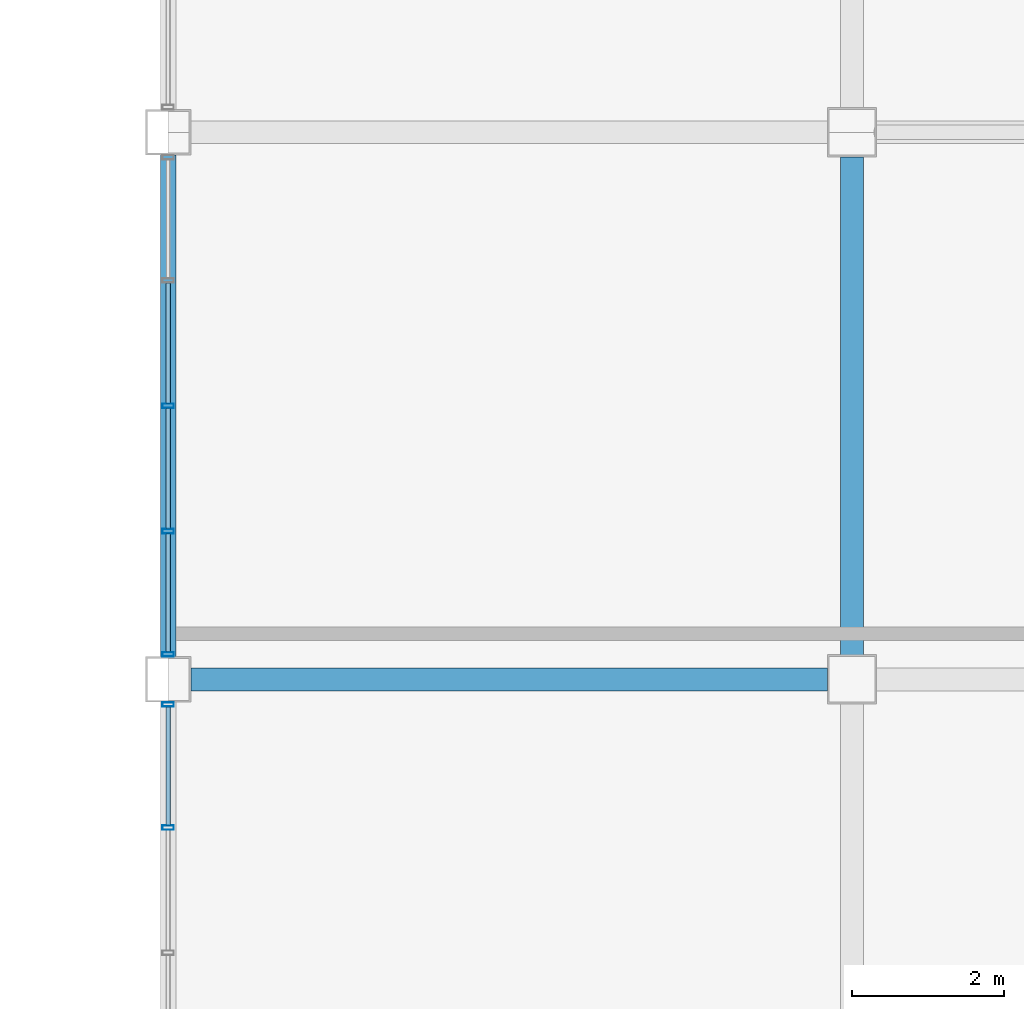
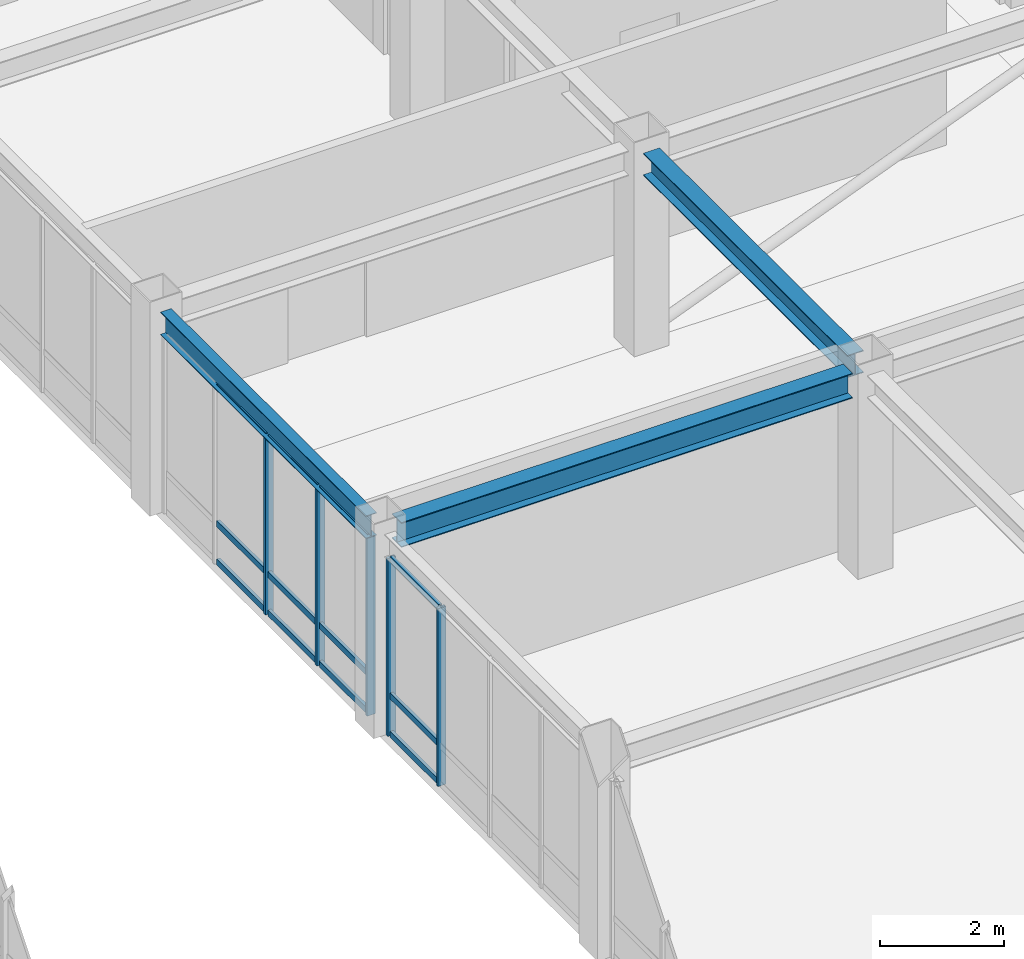
# One storey, part 47 of 106: 17 members, 3 beams, 2 elements without a shape of their own.
"""IFC4 building model written with IfcOpenShell, lengths in metres."""

from ifc_helpers import new_model, si_unit, direction, frame, origin, origin_2d, place, context, subcontext, project, spatial, hollow_rectangle, i_section, extrude, material, material_profile, profile_set, type_object, element, aggregate, save


model = new_model("IFC4")

# Units and contexts
model_context = context("Model", 3, precision=1e-05, world=origin(), true_north=direction((0.0, 1.0)))
body_context = subcontext(model_context, "Body", "Model", "MODEL_VIEW")
ifc_project = project(units=[si_unit("LENGTHUNIT", "METRE"), si_unit("AREAUNIT", "SQUARE_METRE"), si_unit("VOLUMEUNIT", "CUBIC_METRE"), si_unit("PLANEANGLEUNIT", "RADIAN"), si_unit("MASSUNIT", "GRAM", prefix="KILO")], contexts=[model_context])

# Site, building, storey
site_placement = place(None, origin())
site = spatial("IfcSite", under=ifc_project, at=site_placement, CompositionType="ELEMENT")
building_placement = place(site_placement, origin())
building = spatial("IfcBuilding", under=site, at=building_placement, Name="Kazanami Central Library", CompositionType="ELEMENT")
storey_placement = place(building_placement, frame((0.0, 0.0, 12.800048828125)))
storey = spatial("IfcBuildingStorey", under=building, at=storey_placement, Name="L04", CompositionType="ELEMENT", Elevation=12.800048828125)

# Beams
ifc_material_1 = material(Name="Steel SN490B (325 MPa)", Category="steel")
ifc_material_profile_1 = material_profile(ifc_material_1, i_section(OverallWidth=0.300048828125, OverallDepth=0.488037109375, WebThickness=0.010986328125, FlangeThickness=0.01806640625, at=origin_2d()), Name="H-488x300x11x18")
ifc_profile_set_1 = profile_set([ifc_material_profile_1], Name="Steel SN490B (325 MPa)")
beam_type_1 = type_object("IfcBeamType", Name="BM-G-X5", PredefinedType="BEAM", material=ifc_profile_set_1)
beam_1_placement = place(storey_placement, frame((117.298095703125, 64.800048828125, 3.696044921875), z_axis=(1.0, 0.0, 0.0), x_axis=(0.0, 1.0, 0.0)))
element("IfcBeam", 1, at=beam_1_placement, inside=storey, type_object=beam_type_1, Name="Girder G-X5 L04 K/14-15", PredefinedType="BEAM", context=body_context, shape_type="SweptSolid", body=[
    extrude(i_section(OverallWidth=0.300048828125, OverallDepth=0.488037109375, WebThickness=0.010986328125, FlangeThickness=0.01806640625, at=origin_2d()), origin(), (0.0, 0.0, 1.0), 8.37890625),
])
ifc_material_profile_2 = material_profile(ifc_material_1, i_section(OverallWidth=0.300048828125, OverallDepth=0.43994140625, WebThickness=0.010986328125, FlangeThickness=0.01806640625, at=origin_2d()), Name="H-440x300x11x18")
ifc_profile_set_2 = profile_set([ifc_material_profile_2], Name="Steel SN490B (325 MPa)")
beam_type_2 = type_object("IfcBeamType", Name="BM-G-Y4", PredefinedType="BEAM", material=ifc_profile_set_2)
beam_2_placement = place(storey_placement, frame((126.0, 65.123046875, 3.719970703125), z_axis=(0.0, 1.0, 0.0), x_axis=(-1.0, 0.0, 0.0)))
element("IfcBeam", 2, at=beam_2_placement, inside=storey, type_object=beam_type_2, Name="Girder G-Y4 L04 15/K-L", PredefinedType="BEAM", context=body_context, shape_type="SweptSolid", body=[
    extrude(i_section(OverallWidth=0.300048828125, OverallDepth=0.43994140625, WebThickness=0.010986328125, FlangeThickness=0.01806640625, at=origin_2d()), origin(), (0.0, 0.0, 1.0), 6.553955078125),
])
ifc_material_profile_3 = material_profile(ifc_material_1, i_section(OverallWidth=0.199951171875, OverallDepth=0.449951171875, WebThickness=0.009033203125, FlangeThickness=0.013916015625, at=origin_2d()), Name="H-450x200x9x14")
ifc_profile_set_3 = profile_set([ifc_material_profile_3], Name="Steel SN490B (325 MPa)")
beam_type_3 = type_object("IfcBeamType", Name="BM-SP-2", PredefinedType="SPANDREL", material=ifc_profile_set_3)
beam_3_placement = place(storey_placement, frame((117.0, 65.097900390625, 3.71484375), z_axis=(0.0, 1.0, 0.0), x_axis=(-1.0, 0.0, 0.0)))
element("IfcBeam", 3, at=beam_3_placement, inside=storey, type_object=beam_type_3, Name="Girder SP-2 L04 14/K-L", PredefinedType="SPANDREL", context=body_context, shape_type="SweptSolid", body=[
    extrude(i_section(OverallWidth=0.199951171875, OverallDepth=0.449951171875, WebThickness=0.009033203125, FlangeThickness=0.013916015625, at=origin_2d()), origin(), (0.0, 0.0, 1.0), 6.60400390625),
])

# Curtain wall, members
ifc_material_2 = material(Name="Acid-Etched Low-E Laminated Glass", Category="glass")
curtain_wall_type = type_object("IfcCurtainWallType", Name="CW-6600x3490-M180", PredefinedType="USERDEFINED", material=ifc_material_2)
curtain_wall_1_placement = place(storey_placement, origin())
curtain_wall_1 = element("IfcCurtainWall", 4, at=curtain_wall_1_placement, inside=storey, type_object=curtain_wall_type, Name="Covered Link Bridge Curtain Wall CW-48 L04 W-14-08", ObjectType="UNITISED CURTAIN WALL", PredefinedType="USERDEFINED")
ifc_material_3 = material(Name="Anodised Aluminium A6063-T5", Category="aluminium")
ifc_material_profile_4 = material_profile(ifc_material_3, hollow_rectangle(XDim=0.06005859375, YDim=0.14990234375, WallThickness=0.00390625, at=origin_2d()), Name="ALU-MULL-60x150x4")
ifc_profile_set_4 = profile_set([ifc_material_profile_4], Name="Anodised Aluminium A6063-T5")
member_type_1 = type_object("IfcMemberType", Name="MEM-CW-M3", PredefinedType="MULLION", material=ifc_profile_set_4)
member_1_placement = place(storey_placement, frame((117.0, 62.85009765625, 0.0), z_axis=(0.0, 0.0, 1.0), x_axis=(0.0, 1.0, 0.0)))
member_1 = element("IfcMember", 5, at=member_1_placement, type_object=member_type_1, Name="CW-48 mullion 4", PredefinedType="MULLION", context=body_context, shape_type="SweptSolid", body=[
    extrude(hollow_rectangle(XDim=0.06005859375, YDim=0.14990234375, WallThickness=0.00390625, at=origin_2d()), origin(), (0.0, 0.0, 1.0), 3.489990234375),
])
member_2_placement = place(storey_placement, frame((117.0, 64.469970703125, 0.0), z_axis=(0.0, 0.0, 1.0), x_axis=(0.0, 1.0, 0.0)))
member_2 = element("IfcMember", 6, at=member_2_placement, type_object=member_type_1, Name="CW-48 mullion 5", PredefinedType="MULLION", context=body_context, shape_type="SweptSolid", body=[
    extrude(hollow_rectangle(XDim=0.06005859375, YDim=0.14990234375, WallThickness=0.00390625, at=origin_2d()), origin(), (0.0, 0.0, 1.0), 3.489990234375),
])

curtain_wall_2_placement = place(storey_placement, origin())
curtain_wall_2 = element("IfcCurtainWall", 7, at=curtain_wall_2_placement, inside=storey, type_object=curtain_wall_type, Name="Covered Link Bridge Curtain Wall CW-48 L04 W-14-09", ObjectType="UNITISED CURTAIN WALL", PredefinedType="USERDEFINED")
member_3_placement = place(storey_placement, frame((117.0, 65.1298828125, 0.0), z_axis=(0.0, 0.0, 1.0), x_axis=(0.0, 1.0, 0.0)))
member_3 = element("IfcMember", 8, at=member_3_placement, type_object=member_type_1, Name="CW-48 mullion 1", PredefinedType="MULLION", context=body_context, shape_type="SweptSolid", body=[
    extrude(hollow_rectangle(XDim=0.06005859375, YDim=0.14990234375, WallThickness=0.00390625, at=origin_2d()), origin(), (0.0, 0.0, 1.0), 3.489990234375),
])
member_4_placement = place(storey_placement, frame((117.0, 66.75, 0.0), z_axis=(0.0, 0.0, 1.0), x_axis=(0.0, 1.0, 0.0)))
member_4 = element("IfcMember", 9, at=member_4_placement, type_object=member_type_1, Name="CW-48 mullion 2", PredefinedType="MULLION", context=body_context, shape_type="SweptSolid", body=[
    extrude(hollow_rectangle(XDim=0.06005859375, YDim=0.14990234375, WallThickness=0.00390625, at=origin_2d()), origin(), (0.0, 0.0, 1.0), 3.489990234375),
])
member_5_placement = place(storey_placement, frame((117.0, 68.39990234375, 0.0), z_axis=(0.0, 0.0, 1.0), x_axis=(0.0, 1.0, 0.0)))
member_5 = element("IfcMember", 10, at=member_5_placement, type_object=member_type_1, Name="CW-48 mullion 3", PredefinedType="MULLION", context=body_context, shape_type="SweptSolid", body=[
    extrude(hollow_rectangle(XDim=0.06005859375, YDim=0.14990234375, WallThickness=0.00390625, at=origin_2d()), origin(), (0.0, 0.0, 1.0), 3.489990234375),
])

# Member
ifc_material_profile_5 = material_profile(ifc_material_3, hollow_rectangle(XDim=0.06005859375, YDim=0.1201171875, WallThickness=0.00341796875, at=origin_2d()), Name="ALU-TRAN-60x120x3.5")
ifc_profile_set_5 = profile_set([ifc_material_profile_5], Name="Anodised Aluminium A6063-T5")
member_type_2 = type_object("IfcMemberType", Name="MEM-CW-T3", PredefinedType="USERDEFINED", material=ifc_profile_set_5)
member_6_placement = place(storey_placement, frame((117.0, 62.8798828125, 0.030029296875), z_axis=(0.0, 1.0, 0.0), x_axis=(-1.0, 0.0, 0.0)))
member_6 = element("IfcMember", 11, at=member_6_placement, type_object=member_type_2, Name="CW-48 transom 4.1", ObjectType="TRANSOM", PredefinedType="USERDEFINED", context=body_context, shape_type="SweptSolid", body=[
    extrude(hollow_rectangle(XDim=0.06005859375, YDim=0.1201171875, WallThickness=0.00341796875, at=origin_2d()), origin(), (0.0, 0.0, 1.0), 1.56005859375),
])

member_7_placement = place(storey_placement, frame((117.0, 62.8798828125, 0.780029296875), z_axis=(0.0, 1.0, 0.0), x_axis=(-1.0, 0.0, 0.0)))
member_7 = element("IfcMember", 12, at=member_7_placement, type_object=member_type_2, Name="CW-48 transom 4.2", ObjectType="TRANSOM", PredefinedType="USERDEFINED", context=body_context, shape_type="SweptSolid", body=[
    extrude(hollow_rectangle(XDim=0.06005859375, YDim=0.1201171875, WallThickness=0.00341796875, at=origin_2d()), origin(), (0.0, 0.0, 1.0), 1.56005859375),
])

member_8_placement = place(storey_placement, frame((117.0, 62.8798828125, 3.4599609375), z_axis=(0.0, 1.0, 0.0), x_axis=(-1.0, 0.0, 0.0)))
member_8 = element("IfcMember", 13, at=member_8_placement, type_object=member_type_2, Name="CW-48 transom 4.3", ObjectType="TRANSOM", PredefinedType="USERDEFINED", context=body_context, shape_type="SweptSolid", body=[
    extrude(hollow_rectangle(XDim=0.06005859375, YDim=0.1201171875, WallThickness=0.00341796875, at=origin_2d()), origin(), (0.0, 0.0, 1.0), 1.56005859375),
])

aggregate(curtain_wall_1, [member_1, member_2, member_6, member_7, member_8])

member_9_placement = place(storey_placement, frame((117.0, 65.159912109375, 0.030029296875), z_axis=(0.0, 1.0, 0.0), x_axis=(-1.0, 0.0, 0.0)))
member_9 = element("IfcMember", 14, at=member_9_placement, type_object=member_type_2, Name="CW-48 transom 1.1", ObjectType="TRANSOM", PredefinedType="USERDEFINED", context=body_context, shape_type="SweptSolid", body=[
    extrude(hollow_rectangle(XDim=0.06005859375, YDim=0.1201171875, WallThickness=0.00341796875, at=origin_2d()), origin(), (0.0, 0.0, 1.0), 1.56005859375),
])

member_10_placement = place(storey_placement, frame((117.0, 65.159912109375, 0.780029296875), z_axis=(0.0, 1.0, 0.0), x_axis=(-1.0, 0.0, 0.0)))
member_10 = element("IfcMember", 15, at=member_10_placement, type_object=member_type_2, Name="CW-48 transom 1.2", ObjectType="TRANSOM", PredefinedType="USERDEFINED", context=body_context, shape_type="SweptSolid", body=[
    extrude(hollow_rectangle(XDim=0.06005859375, YDim=0.1201171875, WallThickness=0.00341796875, at=origin_2d()), origin(), (0.0, 0.0, 1.0), 1.56005859375),
])

member_11_placement = place(storey_placement, frame((117.0, 65.159912109375, 3.4599609375), z_axis=(0.0, 1.0, 0.0), x_axis=(-1.0, 0.0, 0.0)))
member_11 = element("IfcMember", 16, at=member_11_placement, type_object=member_type_2, Name="CW-48 transom 1.3", ObjectType="TRANSOM", PredefinedType="USERDEFINED", context=body_context, shape_type="SweptSolid", body=[
    extrude(hollow_rectangle(XDim=0.06005859375, YDim=0.1201171875, WallThickness=0.00341796875, at=origin_2d()), origin(), (0.0, 0.0, 1.0), 1.56005859375),
])

member_12_placement = place(storey_placement, frame((117.0, 66.780029296875, 0.030029296875), z_axis=(0.0, 1.0, 0.0), x_axis=(-1.0, 0.0, 0.0)))
member_12 = element("IfcMember", 17, at=member_12_placement, type_object=member_type_2, Name="CW-48 transom 2.1", ObjectType="TRANSOM", PredefinedType="USERDEFINED", context=body_context, shape_type="SweptSolid", body=[
    extrude(hollow_rectangle(XDim=0.06005859375, YDim=0.1201171875, WallThickness=0.00341796875, at=origin_2d()), origin(), (0.0, 0.0, 1.0), 1.590087890625),
])

member_13_placement = place(storey_placement, frame((117.0, 66.780029296875, 0.780029296875), z_axis=(0.0, 1.0, 0.0), x_axis=(-1.0, 0.0, 0.0)))
member_13 = element("IfcMember", 18, at=member_13_placement, type_object=member_type_2, Name="CW-48 transom 2.2", ObjectType="TRANSOM", PredefinedType="USERDEFINED", context=body_context, shape_type="SweptSolid", body=[
    extrude(hollow_rectangle(XDim=0.06005859375, YDim=0.1201171875, WallThickness=0.00341796875, at=origin_2d()), origin(), (0.0, 0.0, 1.0), 1.590087890625),
])

member_14_placement = place(storey_placement, frame((117.0, 66.780029296875, 3.4599609375), z_axis=(0.0, 1.0, 0.0), x_axis=(-1.0, 0.0, 0.0)))
member_14 = element("IfcMember", 19, at=member_14_placement, type_object=member_type_2, Name="CW-48 transom 2.3", ObjectType="TRANSOM", PredefinedType="USERDEFINED", context=body_context, shape_type="SweptSolid", body=[
    extrude(hollow_rectangle(XDim=0.06005859375, YDim=0.1201171875, WallThickness=0.00341796875, at=origin_2d()), origin(), (0.0, 0.0, 1.0), 1.590087890625),
])

member_15_placement = place(storey_placement, frame((117.0, 68.429931640625, 0.030029296875), z_axis=(0.0, 1.0, 0.0), x_axis=(-1.0, 0.0, 0.0)))
member_15 = element("IfcMember", 20, at=member_15_placement, type_object=member_type_2, Name="CW-48 transom 3.1", ObjectType="TRANSOM", PredefinedType="USERDEFINED", context=body_context, shape_type="SweptSolid", body=[
    extrude(hollow_rectangle(XDim=0.06005859375, YDim=0.1201171875, WallThickness=0.00341796875, at=origin_2d()), origin(), (0.0, 0.0, 1.0), 1.590087890625),
])

member_16_placement = place(storey_placement, frame((117.0, 68.429931640625, 0.780029296875), z_axis=(0.0, 1.0, 0.0), x_axis=(-1.0, 0.0, 0.0)))
member_16 = element("IfcMember", 21, at=member_16_placement, type_object=member_type_2, Name="CW-48 transom 3.2", ObjectType="TRANSOM", PredefinedType="USERDEFINED", context=body_context, shape_type="SweptSolid", body=[
    extrude(hollow_rectangle(XDim=0.06005859375, YDim=0.1201171875, WallThickness=0.00341796875, at=origin_2d()), origin(), (0.0, 0.0, 1.0), 1.590087890625),
])

member_17_placement = place(storey_placement, frame((117.0, 68.429931640625, 3.4599609375), z_axis=(0.0, 1.0, 0.0), x_axis=(-1.0, 0.0, 0.0)))
member_17 = element("IfcMember", 22, at=member_17_placement, type_object=member_type_2, Name="CW-48 transom 3.3", ObjectType="TRANSOM", PredefinedType="USERDEFINED", context=body_context, shape_type="SweptSolid", body=[
    extrude(hollow_rectangle(XDim=0.06005859375, YDim=0.1201171875, WallThickness=0.00341796875, at=origin_2d()), origin(), (0.0, 0.0, 1.0), 1.590087890625),
])

aggregate(curtain_wall_2, [member_3, member_4, member_5, member_9, member_10, member_11, member_12, member_13, member_14, member_15, member_16, member_17])

save(model, "model.ifc")
